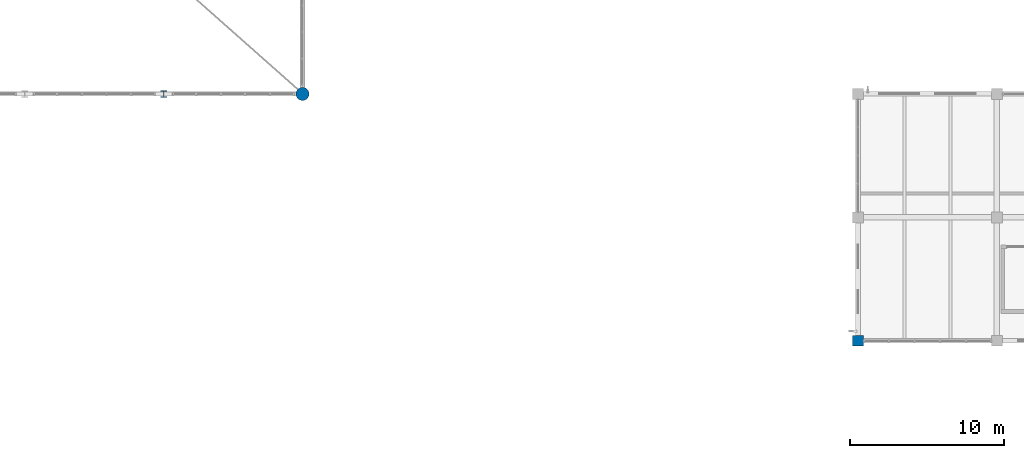
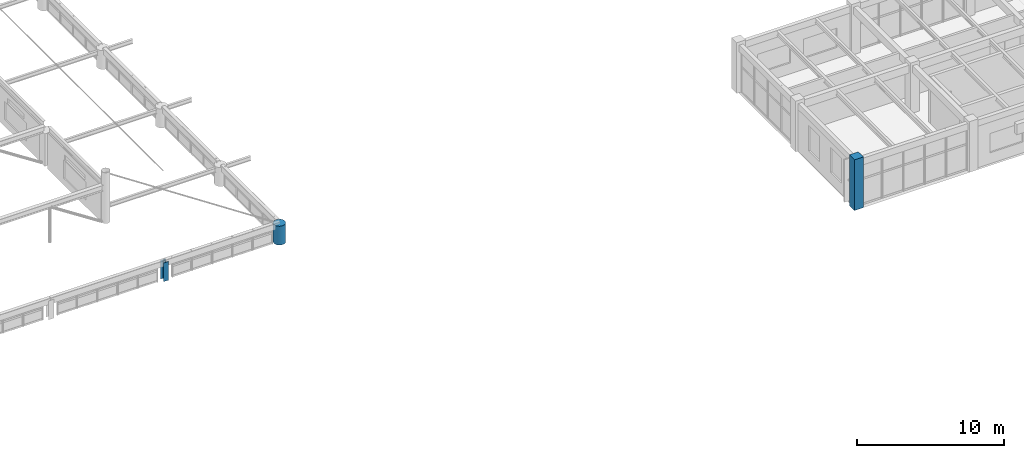
# One storey, part 3 of 128: 3 columns.
"""IFC4 building model written with IfcOpenShell, lengths in metres."""

import ifcopenshell
import ifcopenshell.guid

model = None  # the IFC model being written
_history = None  # IfcOwnerHistory: only IFC2X3 demands one
_inside = {}  # id of a spatial element -> (the spatial element, [elements in it])
_under = {}  # id of a project, library or spatial element -> (it, [spatial elements below it])
_declared = {}  # id of a project -> (the project, [libraries it declares])
_typed = {}  # id of a type object -> (the type object, [elements of that type])
_made_of = {}  # id of a material, layer set ... -> (it, [elements and type objects made of it])


def new_model(schema):
    """Start an empty IFC model of exactly this schema.

    Asked for "IFC4X3", IfcOpenShell would pick the latest addendum, in which some entities
    have other attributes; the version numbers below select the first issue.
    IFC2X3 requires an IfcOwnerHistory on every rooted entity: one is made here for all.
    """
    global model, _history
    if schema == "IFC4X3":
        model = ifcopenshell.file(schema_version=(4, 3, 0, 0))
    else:
        model = ifcopenshell.file(schema=schema)
    _inside.clear()
    _under.clear()
    _declared.clear()
    _typed.clear()
    _made_of.clear()
    _history = None
    if model.schema == "IFC2X3":
        org = make("IfcOrganization", Name="unknown")
        user = make(
            "IfcPersonAndOrganization",
            ThePerson=make("IfcPerson", FamilyName="unknown"),
            TheOrganization=org,
        )
        app = make(
            "IfcApplication",
            ApplicationDeveloper=org,
            Version="unknown",
            ApplicationFullName="unknown",
            ApplicationIdentifier="unknown",
        )
        _history = make(
            "IfcOwnerHistory",
            OwningUser=user,
            OwningApplication=app,
            ChangeAction="ADDED",
            CreationDate=0,
        )
    return model


def make(cls, **values):
    """One entity of the class cls with the attributes given. An attribute that is None is left unset."""
    return model.create_entity(
        cls, **{name: value for name, value in values.items() if value is not None}
    )


def rooted(cls, **values):
    """An entity with a GlobalId (a new one), such as an element, a storey or a relation."""
    return make(cls, GlobalId=ifcopenshell.guid.new(), OwnerHistory=_history, **values)


def si_unit(unit_type, name, prefix=None):
    """IfcSIUnit, for example si_unit("LENGTHUNIT", "METRE", prefix="MILLI")."""
    return make("IfcSIUnit", UnitType=unit_type, Prefix=prefix, Name=name)


def derived_unit(unit_type, elements):
    """IfcDerivedUnit: a product of units, each with its exponent."""
    return make(
        "IfcDerivedUnit",
        Elements=[
            make("IfcDerivedUnitElement", Unit=unit, Exponent=power)
            for unit, power in elements
        ],
        UnitType=unit_type,
    )


def assignment(units):
    """IfcUnitAssignment: the units of a project."""
    return None if units is None else make("IfcUnitAssignment", Units=units)


def point(xyz):
    """IfcCartesianPoint."""
    return None if xyz is None else make("IfcCartesianPoint", Coordinates=xyz)


def direction(xyz):
    """IfcDirection."""
    return None if xyz is None else make("IfcDirection", DirectionRatios=xyz)


def frame(location, z_axis=None, x_axis=None):
    """IfcAxis2Placement3D, a coordinate frame: its origin and axes. An axis left out is left unset."""
    return make(
        "IfcAxis2Placement3D",
        Location=point(location),
        Axis=direction(z_axis),
        RefDirection=direction(x_axis),
    )


def frame_2d(location, x_axis=None):
    """IfcAxis2Placement2D, a coordinate frame in the plane: its origin and x axis."""
    return make(
        "IfcAxis2Placement2D", Location=point(location), RefDirection=direction(x_axis)
    )


def origin():
    """The frame at (0, 0, 0) with its axes left unset."""
    return frame((0.0, 0.0, 0.0))


def origin_2d():
    """The frame at (0, 0) in the plane with its x axis left unset."""
    return frame_2d((0.0, 0.0))


def place(relative_to, where):
    """IfcLocalPlacement: puts the frame where relative to a parent placement (None: the world)."""
    return make(
        "IfcLocalPlacement", PlacementRelTo=relative_to, RelativePlacement=where
    )


def context(
    kind, dimensions, precision=None, world=None, true_north=None, identifier=None
):
    """IfcGeometricRepresentationContext, for example the 3D "Model" context."""
    return make(
        "IfcGeometricRepresentationContext",
        ContextIdentifier=identifier,
        ContextType=kind,
        CoordinateSpaceDimension=dimensions,
        Precision=precision,
        WorldCoordinateSystem=world,
        TrueNorth=true_north,
    )


def subcontext(parent, identifier, kind, view, scale=None):
    """IfcGeometricRepresentationSubContext, for example "Body" below "Model"."""
    return make(
        "IfcGeometricRepresentationSubContext",
        ContextIdentifier=identifier,
        ContextType=kind,
        ParentContext=parent,
        TargetScale=scale,
        TargetView=view,
    )


def project(units=None, contexts=None):
    """IfcProject with its units and contexts."""
    return rooted(
        "IfcProject",
        Name="project",
        RepresentationContexts=contexts,
        UnitsInContext=assignment(units),
    )


def spatial(cls, under=None, at=None, **own):
    """A site, building, storey or space (cls), placed at a placement, below another one or the project."""
    s = rooted(cls, ObjectPlacement=at, **own)
    if under is not None:
        _under.setdefault(under.id(), (under, []))[1].append(s)
    return s


def profile(cls, at=None, kind="AREA", **sizes):
    """A parametric profile (cls). Its sizes go by their IFC names, for example OverallWidth=200.0."""
    return make(cls, ProfileType=kind, Position=at, **sizes)


def rectangle(**sizes):
    """IfcRectangleProfileDef."""
    return profile("IfcRectangleProfileDef", **sizes)


def circle(**sizes):
    """IfcCircleProfileDef."""
    return profile("IfcCircleProfileDef", **sizes)


def i_section(**sizes):
    """IfcIShapeProfileDef."""
    return profile("IfcIShapeProfileDef", **sizes)


def extrude(swept, where, along, depth):
    """IfcExtrudedAreaSolid: the profile swept, set in the frame where, extruded along a direction by depth."""
    return make(
        "IfcExtrudedAreaSolid",
        SweptArea=swept,
        Position=where,
        ExtrudedDirection=direction(along),
        Depth=depth,
    )


def shape(context_of_items, identifier, shape_type, items):
    """IfcShapeRepresentation: the items that make up one representation, for example the "Body"."""
    return make(
        "IfcShapeRepresentation",
        ContextOfItems=context_of_items,
        RepresentationIdentifier=identifier,
        RepresentationType=shape_type,
        Items=items,
    )


def material(Name=None, Category=None):
    """IfcMaterial."""
    return make("IfcMaterial", Name=Name, Category=Category)


def material_profile(
    of_material, cross_section, Name=None, Category=None, Priority=None
):
    """IfcMaterialProfile: a cross section and its material."""
    return make(
        "IfcMaterialProfile",
        Name=Name,
        Material=of_material,
        Profile=cross_section,
        Priority=Priority,
        Category=Category,
    )


def profile_set(profiles, Name=None, composite=None):
    """IfcMaterialProfileSet."""
    return make(
        "IfcMaterialProfileSet",
        Name=Name,
        MaterialProfiles=profiles,
        CompositeProfile=composite,
    )


def made_of(thing, what):
    """Note that an element or type object is made of a material, layer set ...; save() writes the relation."""
    if what is not None:
        _made_of.setdefault(what.id(), (what, []))[1].append(thing)
    return thing


def type_object(cls, material=None, **own):
    """A type object (cls), such as IfcWallType, which elements share."""
    return made_of(rooted(cls, **own), material)


def element(
    cls,
    number,
    at=None,
    inside=None,
    cuts=None,
    type_object=None,
    material=None,
    context=None,
    identifier="Body",
    shape_type=None,
    held_by="IfcProductDefinitionShape",
    body=None,
    shapes=None,
    **own,
):
    """One element of the class cls, such as IfcWall. Its Tag is "e" and its number.

    at: its placement. inside: the storey or other place that contains it. cuts: it is an
    opening in that element (IfcRelVoidsElement). A single representation is given by context,
    identifier, shape_type and body (its items); several are given by shapes. held_by: the class
    of the entity that holds the representations. save() writes the other relations.
    """
    e = rooted(cls, Tag="e%d" % number, ObjectPlacement=at, **own)
    if body is not None:
        shapes = [shape(context, identifier, shape_type, body)]
    if shapes is not None:
        e.Representation = make(held_by, Representations=shapes)
    if inside is not None:
        _inside.setdefault(inside.id(), (inside, []))[1].append(e)
    if cuts is not None:
        rooted(
            "IfcRelVoidsElement", RelatingBuildingElement=cuts, RelatedOpeningElement=e
        )
    if type_object is not None:
        _typed.setdefault(type_object.id(), (type_object, []))[1].append(e)
    return made_of(e, material)


def aggregate(whole, parts):
    """IfcRelAggregates: a whole, such as a stair, and the parts it consists of."""
    return rooted("IfcRelAggregates", RelatingObject=whole, RelatedObjects=parts)


def save(model, path):
    """Write the relations noted so far, then the file.

    IfcRelAggregates (storeys below a building ...), IfcRelContainedInSpatialStructure (elements
    in a storey), IfcRelDefinesByType, IfcRelAssociatesMaterial and IfcRelDeclares: one each for
    every whole, place, type object, material and project.
    """
    for whole, parts in _under.values():
        aggregate(whole, parts)
    for where, things in _inside.values():
        rooted(
            "IfcRelContainedInSpatialStructure",
            RelatedElements=things,
            RelatingStructure=where,
        )
    for kind, things in _typed.values():
        rooted("IfcRelDefinesByType", RelatedObjects=things, RelatingType=kind)
    for what, things in _made_of.values():
        rooted("IfcRelAssociatesMaterial", RelatedObjects=things, RelatingMaterial=what)
    for by, libraries in _declared.values():
        rooted("IfcRelDeclares", RelatingContext=by, RelatedDefinitions=libraries)
    model.write(path)


model = new_model("IFC4")

# Units and contexts
model_context = context("Model", 3, precision=1e-05, world=origin(), true_north=direction((0.0, 1.0)))
body_context = subcontext(model_context, "Body", "Model", "MODEL_VIEW")
ifc_project = project(units=[si_unit("LENGTHUNIT", "METRE"), si_unit("AREAUNIT", "SQUARE_METRE"), si_unit("VOLUMEUNIT", "CUBIC_METRE"), si_unit("PLANEANGLEUNIT", "RADIAN"), si_unit("MASSUNIT", "GRAM", prefix="KILO"), derived_unit("THERMALTRANSMITTANCEUNIT", [(si_unit("MASSUNIT", "GRAM", prefix="KILO"), 1), (si_unit("TIMEUNIT", "SECOND"), -3), (si_unit("THERMODYNAMICTEMPERATUREUNIT", "KELVIN"), -1)])], contexts=[model_context])

# Site, building, storey
site_placement = place(None, origin())
site = spatial("IfcSite", under=ifc_project, at=site_placement, CompositionType="ELEMENT")
building_placement = place(site_placement, origin())
building = spatial("IfcBuilding", under=site, at=building_placement, Name="Zhenchuan Archway Interchange", CompositionType="ELEMENT")
storey_placement = place(building_placement, frame((0.0, 0.0, 14.39990234375)))
storey = spatial("IfcBuildingStorey", under=building, at=storey_placement, Name="L03", CompositionType="ELEMENT", Elevation=14.39990234375)

# Columns
ifc_material_1 = material(Name="Concrete C40", Category="concrete")
ifc_material_profile_1 = material_profile(ifc_material_1, rectangle(XDim=0.699951171875, YDim=0.699951171875, at=origin_2d()), Name="RC 700x700")
ifc_profile_set_1 = profile_set([ifc_material_profile_1], Name="Concrete C40")
column_type_1 = type_object("IfcColumnType", Name="COL_RC_700", PredefinedType="COLUMN", material=ifc_profile_set_1)
column_1_placement = place(storey_placement, frame((108.0, 8.0, 0.0), z_axis=(0.0, 0.0, 1.0), x_axis=(1.0, 0.0, 0.0)))
element("IfcColumn", 1, at=column_1_placement, inside=storey, type_object=column_type_1, Name="Column 13/B (L03)", PredefinedType="COLUMN", context=body_context, shape_type="SweptSolid", body=[
    extrude(rectangle(XDim=0.699951171875, YDim=0.699951171875, at=origin_2d()), origin(), (0.0, 0.0, 1.0), 4.2001953125),
])
ifc_material_profile_2 = material_profile(ifc_material_1, circle(Radius=0.425048828125, at=origin_2d()), Name="RC D850")
ifc_profile_set_2 = profile_set([ifc_material_profile_2], Name="Concrete C40")
column_type_2 = type_object("IfcColumnType", Name="COL_RC_D850", PredefinedType="COLUMN", material=ifc_profile_set_2)
column_2_placement = place(storey_placement, frame((72.0, 24.0, 0.0), z_axis=(0.0, 0.0, 1.0), x_axis=(1.0, 0.0, 0.0)))
element("IfcColumn", 2, at=column_2_placement, inside=storey, type_object=column_type_2, Name="Column 9/D (L03)", PredefinedType="COLUMN", context=body_context, shape_type="SweptSolid", body=[
    extrude(circle(Radius=0.425048828125, at=origin_2d()), origin(), (0.0, 0.0, 1.0), 1.56005859375),
])
ifc_material_2 = material(Name="Steel Q355", Category="steel")
ifc_material_profile_3 = material_profile(ifc_material_2, i_section(OverallWidth=0.39990234375, OverallDepth=0.39990234375, WebThickness=0.012939453125, FlangeThickness=0.02099609375, FilletRadius=0.02197265625, at=origin_2d()), Name="HW 400x400")
ifc_profile_set_3 = profile_set([ifc_material_profile_3], Name="Steel Q355")
column_type_3 = type_object("IfcColumnType", Name="COL_STL_HW400", PredefinedType="COLUMN", material=ifc_profile_set_3)
column_3_placement = place(storey_placement, frame((63.0, 24.0, 0.0), z_axis=(0.0, 0.0, 1.0), x_axis=(1.0, 0.0, 0.0)))
element("IfcColumn", 3, at=column_3_placement, inside=storey, type_object=column_type_3, Name="Column 8/D (L03)", PredefinedType="COLUMN", context=body_context, shape_type="SweptSolid", body=[
    extrude(i_section(OverallWidth=0.39990234375, OverallDepth=0.39990234375, WebThickness=0.012939453125, FlangeThickness=0.02099609375, FilletRadius=0.02197265625, at=origin_2d()), origin(), (0.0, 0.0, 1.0), 1.56005859375),
])

save(model, "model.ifc")
